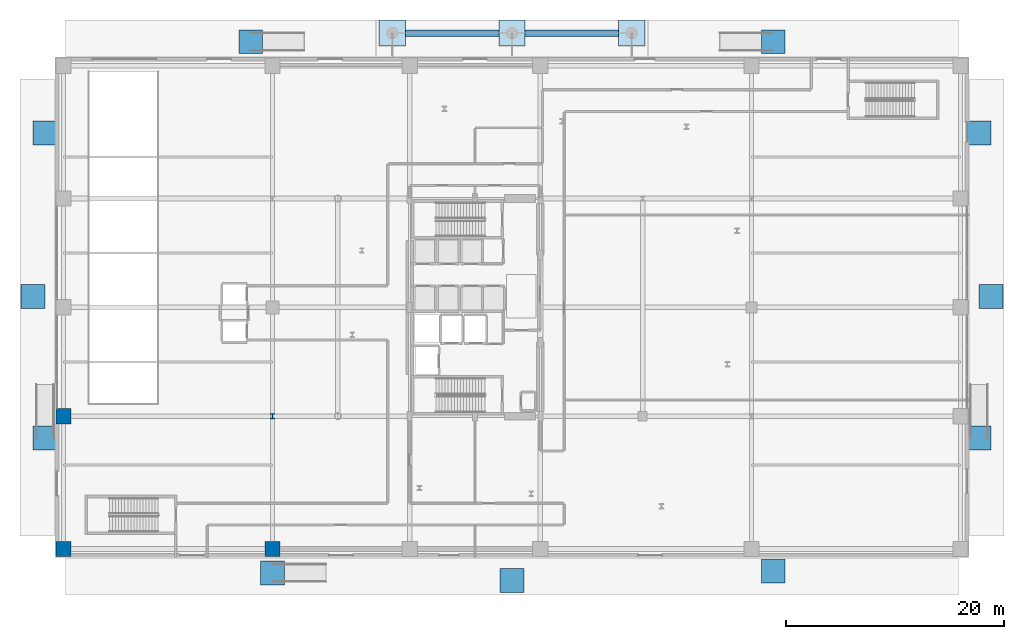
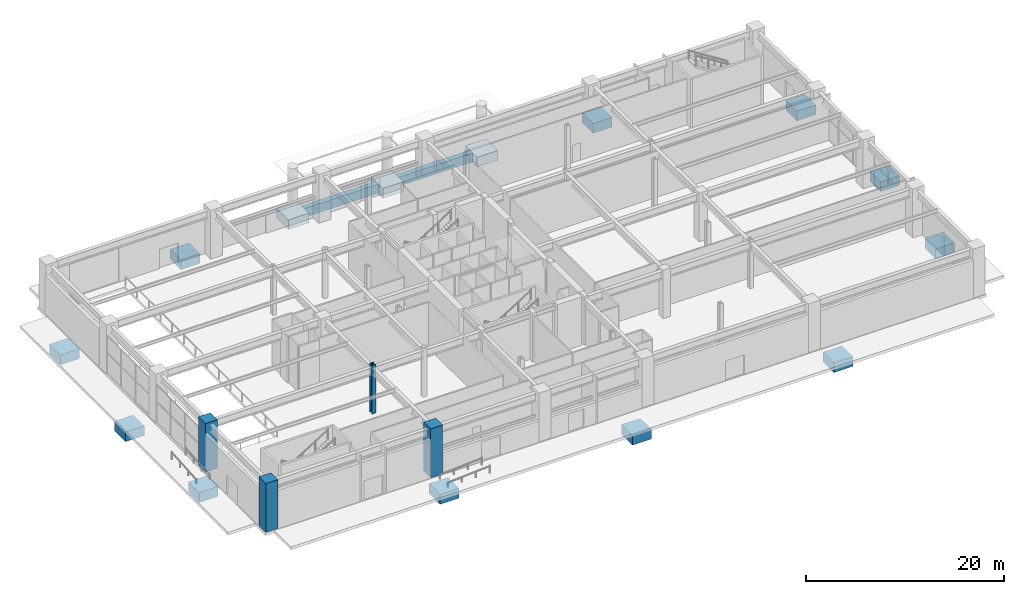
# One storey, part 1 of 31: 16 footings, 4 columns.
"""IFC4 building model written with IfcOpenShell, lengths in metres."""

from ifc_helpers import new_model, si_unit, direction, frame, origin, origin_2d, place, context, subcontext, project, spatial, polyline, rectangle, i_section, outline, extrude, material, layer, layer_set, material_profile, profile_set, type_object, element, save


model = new_model("IFC4")

# Units and contexts
model_context = context("Model", 3, precision=1e-05, world=origin(), true_north=direction((0.0, 1.0)))
body_context = subcontext(model_context, "Body", "Model", "MODEL_VIEW")
ifc_project = project(units=[si_unit("LENGTHUNIT", "METRE"), si_unit("AREAUNIT", "SQUARE_METRE"), si_unit("VOLUMEUNIT", "CUBIC_METRE"), si_unit("PLANEANGLEUNIT", "RADIAN"), si_unit("MASSUNIT", "GRAM", prefix="KILO")], contexts=[model_context])

# Site, building, storey
site_placement = place(None, origin())
site = spatial("IfcSite", under=ifc_project, at=site_placement, CompositionType="ELEMENT")
building_placement = place(site_placement, origin())
building = spatial("IfcBuilding", under=site, at=building_placement, Name="Soratama Intermodal Tower", CompositionType="ELEMENT")
storey_placement = place(building_placement, origin())
storey = spatial("IfcBuildingStorey", under=building, at=storey_placement, Name="L00", CompositionType="ELEMENT", Elevation=0.0)

# Footings
ifc_material_1 = material(Name="Concrete f'c 42 MPa", Category="concrete")
ifc_material_profile_1 = material_profile(ifc_material_1, rectangle(XDim=0.60009765625, YDim=1.10009765625, at=origin_2d()), Name="RC600X1100")
ifc_profile_set_1 = profile_set([ifc_material_profile_1], Name="Concrete f'c 42 MPa")
footing_type_1 = type_object("IfcFootingType", Name="FB-TIE-600X1100", PredefinedType="FOOTING_BEAM", material=ifc_profile_set_1)
for number, where, z_axis, x_axis, name in (
    (1, (32.199951171875, 50.199951171875, -0.89990234375), (1.0, 0.0, 0.0), (0.0, 1.0, 0.0), "Plaza Ground Tie Beam 1"),
    (2, (43.199951171875, 50.199951171875, -0.89990234375), (1.0, 0.0, 0.0), (0.0, 1.0, 0.0), "Plaza Ground Tie Beam 2"),
):
    element("IfcFooting", number, at=place(storey_placement, frame(where, z_axis=z_axis, x_axis=x_axis)), inside=storey, type_object=footing_type_1, Name=name, PredefinedType="FOOTING_BEAM", context=body_context, shape_type="SweptSolid", body=[
        extrude(rectangle(XDim=0.60009765625, YDim=1.10009765625, at=origin_2d()), origin(), (0.0, 0.0, 1.0), 8.60009765625),
    ])
ifc_material_2 = material(Name="Concrete f'c 42 MPa", Category="concrete")
ifc_layer = layer(ifc_material_2, 1.199951171875)
ifc_layer_set = layer_set([ifc_layer], Name="Concrete f'c 42 MPa")
footing_type_2 = type_object("IfcFootingType", Name="FT-PAD-2400", PredefinedType="PAD_FOOTING", material=ifc_layer_set)
footing_1_placement = place(storey_placement, frame((0.0, 0.0, -1.550048828125)))
element("IfcFooting", 3, at=footing_1_placement, inside=storey, type_object=footing_type_2, Name="Plaza Canopy Pad Footing 1", PredefinedType="PAD_FOOTING", context=body_context, shape_type="SweptSolid", body=[
    extrude(outline(polyline([(29.800048828125, 49.0), (32.199951171875, 49.0), (32.199951171875, 51.39990234375), (29.800048828125, 51.39990234375), (29.800048828125, 49.0)])), origin(), (0.0, 0.0, 1.0), 1.199951171875),
])
footing_2_placement = place(storey_placement, frame((0.0, 0.0, -1.550048828125)))
element("IfcFooting", 4, at=footing_2_placement, inside=storey, type_object=footing_type_2, Name="Plaza Canopy Pad Footing 2", PredefinedType="PAD_FOOTING", context=body_context, shape_type="SweptSolid", body=[
    extrude(outline(polyline([(40.800048828125, 49.0), (43.199951171875, 49.0), (43.199951171875, 51.39990234375), (40.800048828125, 51.39990234375), (40.800048828125, 49.0)])), origin(), (0.0, 0.0, 1.0), 1.199951171875),
])
footing_3_placement = place(storey_placement, frame((0.0, 0.0, -1.550048828125)))
element("IfcFooting", 5, at=footing_3_placement, inside=storey, type_object=footing_type_2, Name="Plaza Canopy Pad Footing 3", PredefinedType="PAD_FOOTING", context=body_context, shape_type="SweptSolid", body=[
    extrude(outline(polyline([(51.800048828125, 49.0), (54.199951171875, 49.0), (54.199951171875, 51.39990234375), (51.800048828125, 51.39990234375), (51.800048828125, 49.0)])), origin(), (0.0, 0.0, 1.0), 1.199951171875),
])
footing_4_placement = place(storey_placement, frame((0.0, 0.0, -1.550048828125)))
element("IfcFooting", 6, at=footing_4_placement, inside=storey, type_object=footing_type_2, Name="Plaza Apron and Ramp Footing N1", PredefinedType="PAD_FOOTING", context=body_context, shape_type="SweptSolid", body=[
    extrude(outline(polyline([(16.89990234375, 48.300048828125), (19.10009765625, 48.300048828125), (19.10009765625, 50.5), (16.89990234375, 50.5), (16.89990234375, 48.300048828125)])), origin(), (0.0, 0.0, 1.0), 1.2099609375),
])
footing_5_placement = place(storey_placement, frame((0.0, 0.0, -1.550048828125)))
element("IfcFooting", 7, at=footing_5_placement, inside=storey, type_object=footing_type_2, Name="Plaza Apron and Ramp Footing N2", PredefinedType="PAD_FOOTING", context=body_context, shape_type="SweptSolid", body=[
    extrude(outline(polyline([(64.89990234375, 48.300048828125), (67.10009765625, 48.300048828125), (67.10009765625, 50.5), (64.89990234375, 50.5), (64.89990234375, 48.300048828125)])), origin(), (0.0, 0.0, 1.0), 1.2099609375),
])
footing_6_placement = place(storey_placement, frame((0.0, 0.0, -1.550048828125)))
element("IfcFooting", 8, at=footing_6_placement, inside=storey, type_object=footing_type_2, Name="Plaza Apron and Ramp Footing S1", PredefinedType="PAD_FOOTING", context=body_context, shape_type="SweptSolid", body=[
    extrude(outline(polyline([(18.89990234375, -0.5), (21.10009765625, -0.5), (21.10009765625, 1.699951171875), (18.89990234375, 1.699951171875), (18.89990234375, -0.5)])), origin(), (0.0, 0.0, 1.0), 1.2099609375),
])
footing_7_placement = place(storey_placement, frame((0.0, 0.0, -1.550048828125)))
element("IfcFooting", 9, at=footing_7_placement, inside=storey, type_object=footing_type_2, Name="Plaza Apron and Ramp Footing S2", PredefinedType="PAD_FOOTING", context=body_context, shape_type="SweptSolid", body=[
    extrude(outline(polyline([(40.89990234375, -1.199951171875), (43.10009765625, -1.199951171875), (43.10009765625, 1.0), (40.89990234375, 1.0), (40.89990234375, -1.199951171875)])), origin(), (0.0, 0.0, 1.0), 1.199951171875),
])
footing_8_placement = place(storey_placement, frame((0.0, 0.0, -1.550048828125)))
element("IfcFooting", 10, at=footing_8_placement, inside=storey, type_object=footing_type_2, Name="Plaza Apron and Ramp Footing S3", PredefinedType="PAD_FOOTING", context=body_context, shape_type="SweptSolid", body=[
    extrude(outline(polyline([(64.89990234375, -0.300048828125), (67.10009765625, -0.300048828125), (67.10009765625, 1.89990234375), (64.89990234375, 1.89990234375), (64.89990234375, -0.300048828125)])), origin(), (0.0, 0.0, 1.0), 1.199951171875),
])
footing_9_placement = place(storey_placement, frame((0.0, 0.0, -1.550048828125)))
element("IfcFooting", 11, at=footing_9_placement, inside=storey, type_object=footing_type_2, Name="Plaza Apron and Ramp Footing E1", PredefinedType="PAD_FOOTING", context=body_context, shape_type="SweptSolid", body=[
    extrude(outline(polyline([(83.800048828125, 11.89990234375), (86.0, 11.89990234375), (86.0, 14.10009765625), (83.800048828125, 14.10009765625), (83.800048828125, 11.89990234375)])), origin(), (0.0, 0.0, 1.0), 1.2099609375),
])
footing_10_placement = place(storey_placement, frame((0.0, 0.0, -1.550048828125)))
element("IfcFooting", 12, at=footing_10_placement, inside=storey, type_object=footing_type_2, Name="Plaza Apron and Ramp Footing E2", PredefinedType="PAD_FOOTING", context=body_context, shape_type="SweptSolid", body=[
    extrude(outline(polyline([(84.89990234375, 24.89990234375), (87.10009765625, 24.89990234375), (87.10009765625, 27.10009765625), (84.89990234375, 27.10009765625), (84.89990234375, 24.89990234375)])), origin(), (0.0, 0.0, 1.0), 1.199951171875),
])
footing_11_placement = place(storey_placement, frame((0.0, 0.0, -1.550048828125)))
element("IfcFooting", 13, at=footing_11_placement, inside=storey, type_object=footing_type_2, Name="Plaza Apron and Ramp Footing E3", PredefinedType="PAD_FOOTING", context=body_context, shape_type="SweptSolid", body=[
    extrude(outline(polyline([(83.800048828125, 39.89990234375), (86.0, 39.89990234375), (86.0, 42.10009765625), (83.800048828125, 42.10009765625), (83.800048828125, 39.89990234375)])), origin(), (0.0, 0.0, 1.0), 1.199951171875),
])
footing_12_placement = place(storey_placement, frame((0.0, 0.0, -1.550048828125)))
element("IfcFooting", 14, at=footing_12_placement, inside=storey, type_object=footing_type_2, Name="Plaza Apron and Ramp Footing W1", PredefinedType="PAD_FOOTING", context=body_context, shape_type="SweptSolid", body=[
    extrude(outline(polyline([(-2.0, 11.89990234375), (0.199951171875, 11.89990234375), (0.199951171875, 14.10009765625), (-2.0, 14.10009765625), (-2.0, 11.89990234375)])), origin(), (0.0, 0.0, 1.0), 1.2099609375),
])
footing_13_placement = place(storey_placement, frame((0.0, 0.0, -1.550048828125)))
element("IfcFooting", 15, at=footing_13_placement, inside=storey, type_object=footing_type_2, Name="Plaza Apron and Ramp Footing W2", PredefinedType="PAD_FOOTING", context=body_context, shape_type="SweptSolid", body=[
    extrude(outline(polyline([(-3.10009765625, 24.89990234375), (-0.89990234375, 24.89990234375), (-0.89990234375, 27.10009765625), (-3.10009765625, 27.10009765625), (-3.10009765625, 24.89990234375)])), origin(), (0.0, 0.0, 1.0), 1.199951171875),
])
footing_14_placement = place(storey_placement, frame((0.0, 0.0, -1.550048828125)))
element("IfcFooting", 16, at=footing_14_placement, inside=storey, type_object=footing_type_2, Name="Plaza Apron and Ramp Footing W3", PredefinedType="PAD_FOOTING", context=body_context, shape_type="SweptSolid", body=[
    extrude(outline(polyline([(-2.0, 39.89990234375), (0.199951171875, 39.89990234375), (0.199951171875, 42.10009765625), (-2.0, 42.10009765625), (-2.0, 39.89990234375)])), origin(), (0.0, 0.0, 1.0), 1.199951171875),
])

# Columns
ifc_material_3 = material(Name="Concrete f'c 56 MPa", Category="concrete")
ifc_material_profile_2 = material_profile(ifc_material_3, rectangle(XDim=1.39990234375, YDim=1.39990234375, at=origin_2d()), Name="RC1400X1400")
ifc_profile_set_2 = profile_set([ifc_material_profile_2], Name="Concrete f'c 56 MPa")
column_type_1 = type_object("IfcColumnType", Name="COL-POD-EXT-RC1400", PredefinedType="COLUMN", material=ifc_profile_set_2)
for number, where, z_axis, x_axis, name in (
    (17, (0.800048828125, 2.800048828125, 0.0), (0.0, 0.0, 1.0), (1.0, 0.0, 0.0), "L00 Station Column P01"),
    (18, (20.0, 2.800048828125, 0.0), (0.0, 0.0, 1.0), (1.0, 0.0, 0.0), "L00 Station Column P02"),
    (19, (0.800048828125, 15.0, 0.0), (0.0, 0.0, 1.0), (1.0, 0.0, 0.0), "L00 Station Column P05"),
):
    element("IfcColumn", number, at=place(storey_placement, frame(where, z_axis=z_axis, x_axis=x_axis)), inside=storey, type_object=column_type_1, Name=name, PredefinedType="COLUMN", context=body_context, shape_type="SweptSolid", body=[
        extrude(rectangle(XDim=1.39990234375, YDim=1.39990234375, at=origin_2d()), origin(), (0.0, 0.0, 1.0), 6.0),
    ])
ifc_material_4 = material(Name="Structural steel ASTM A992 Grade 50", Category="steel")
ifc_material_profile_3 = material_profile(ifc_material_4, i_section(OverallWidth=0.431884765625, OverallDepth=0.498046875, WebThickness=0.0556640625, FlangeThickness=0.0888671875, FilletRadius=0.0380859375, at=origin_2d()), Name="W14X500")
ifc_profile_set_3 = profile_set([ifc_material_profile_3], Name="Structural steel ASTM A992 Grade 50")
column_type_2 = type_object("IfcColumnType", Name="COL-POD-W14X500", PredefinedType="COLUMN", material=ifc_profile_set_3)
column_placement = place(storey_placement, frame((20.0, 15.0, 0.0), z_axis=(0.0, 0.0, 1.0), x_axis=(1.0, 0.0, 0.0)))
element("IfcColumn", 20, at=column_placement, inside=storey, type_object=column_type_2, Name="L00 Station Column P06", PredefinedType="COLUMN", context=body_context, shape_type="SweptSolid", body=[
    extrude(i_section(OverallWidth=0.431884765625, OverallDepth=0.498046875, WebThickness=0.0556640625, FlangeThickness=0.0888671875, FilletRadius=0.0380859375, at=origin_2d()), origin(), (0.0, 0.0, 1.0), 6.0),
])

save(model, "model.ifc")
